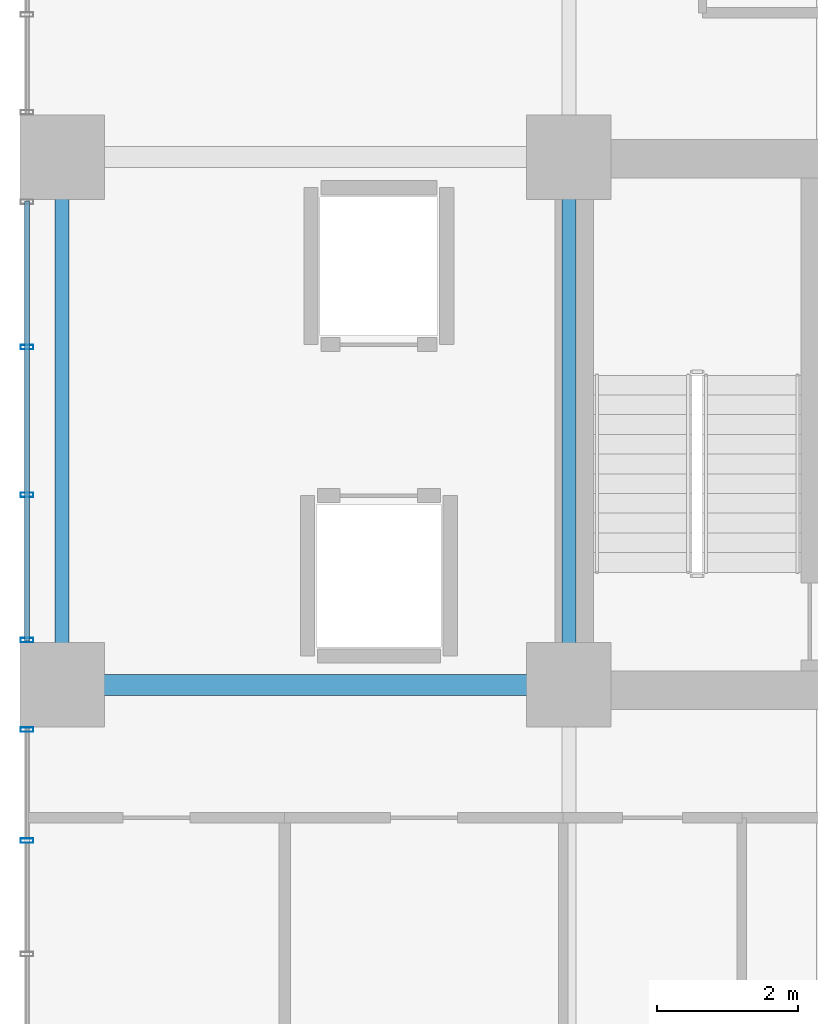
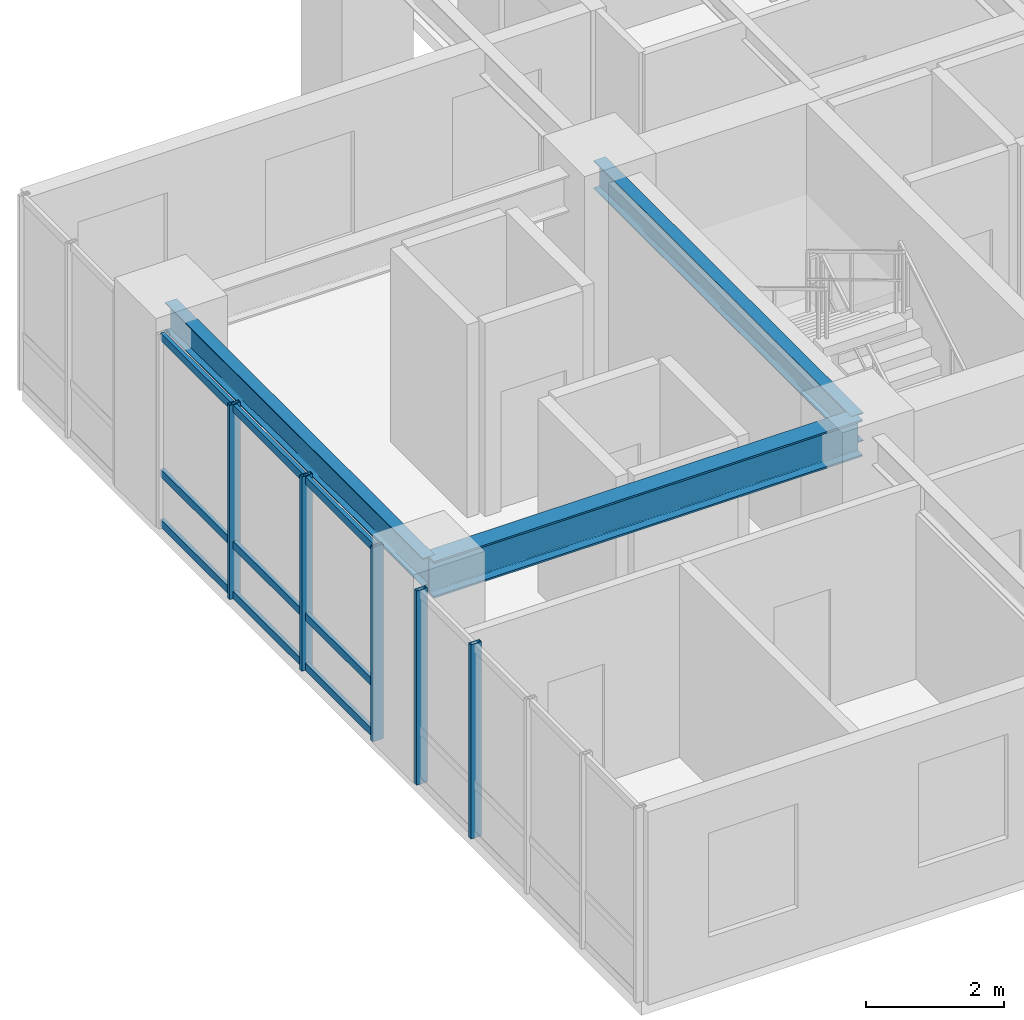
# One storey, part 4 of 17: 8 members, 3 beams, 2 elements without a shape of their own.
"""IFC4 building model written with IfcOpenShell, lengths in metres."""

from ifc_helpers import new_model, si_unit, direction, frame, origin, origin_2d, place, context, subcontext, project, spatial, hollow_rectangle, i_section, extrude, source, transform, mapped, material, layer, layer_set, material_profile, profile_set, type_object, element, aggregate, save


model = new_model("IFC4")

# Units and contexts
model_context = context("Model", 3, precision=1e-05, world=origin(), true_north=direction((0.0, 1.0)))
body_context = subcontext(model_context, "Body", "Model", "MODEL_VIEW")
ifc_project = project(units=[si_unit("LENGTHUNIT", "METRE"), si_unit("AREAUNIT", "SQUARE_METRE"), si_unit("VOLUMEUNIT", "CUBIC_METRE"), si_unit("PLANEANGLEUNIT", "RADIAN"), si_unit("MASSUNIT", "GRAM", prefix="KILO")], contexts=[model_context])

# Site, building, storey
site_placement = place(None, origin())
site = spatial("IfcSite", under=ifc_project, at=site_placement, CompositionType="ELEMENT")
building_placement = place(site_placement, origin())
building = spatial("IfcBuilding", under=site, at=building_placement, Name="Kaliganga Portal Commons", CompositionType="ELEMENT")
storey_placement = place(building_placement, frame((0.0, 0.0, 108.199951171875)))
storey = spatial("IfcBuildingStorey", under=building, at=storey_placement, Name="L27", CompositionType="ELEMENT", Elevation=108.199951171875)

# Beams
ifc_material_1 = material(Name="Structural steel S355J2", Category="steel")
ifc_material_profile_1 = material_profile(ifc_material_1, i_section(OverallWidth=0.300048828125, OverallDepth=0.64990234375, WebThickness=0.01611328125, FlangeThickness=0.031005859375, FilletRadius=0.027099609375, at=origin_2d()), Name="HE 650 B")
ifc_profile_set_1 = profile_set([ifc_material_profile_1], Name="Structural steel S355J2 wide-flange")
beam_type_1 = type_object("IfcBeamType", Name="BM-GIRD-650", PredefinedType="USERDEFINED", material=ifc_profile_set_1)
shared_shape_1 = source(origin(), body_context, "Body", "SweptSolid", [
    extrude(i_section(OverallWidth=0.300048828125, OverallDepth=0.64990234375, WebThickness=0.01611328125, FlangeThickness=0.031005859375, FilletRadius=0.027099609375, at=origin_2d()), origin(), (0.0, 0.0, 1.0), 7.199951171875),
])
beam_placement = place(storey_placement, frame((7.199951171875, 28.64990234375, 3.125), z_axis=(1.0, 0.0, 0.0), x_axis=(0.0, 1.0, 0.0)))
element("IfcBeam", 1, at=beam_placement, inside=storey, type_object=beam_type_1, Name="BM G L27 WAH_S 1", ObjectType="GIRDER", PredefinedType="USERDEFINED", context=body_context, shape_type="MappedRepresentation", body=[
    mapped(shared_shape_1, transform((0.0, 0.0, 0.0), x_axis=(1.0, 0.0, 0.0), y_axis=(0.0, 1.0, 0.0), z_axis=(0.0, 0.0, 1.0), scale=1.0)),
])
ifc_material_profile_2 = material_profile(ifc_material_1, i_section(OverallWidth=0.199951171875, OverallDepth=0.5, WebThickness=0.01025390625, FlangeThickness=0.01611328125, FilletRadius=0.02099609375, at=origin_2d()), Name="IPE 500")
ifc_profile_set_2 = profile_set([ifc_material_profile_2], Name="Structural steel S355J2 wide-flange")
beam_type_2 = type_object("IfcBeamType", Name="BM-FLR-500", PredefinedType="BEAM", material=ifc_profile_set_2)
shared_shape_2 = source(origin(), body_context, "Body", "SweptSolid", [
    extrude(i_section(OverallWidth=0.199951171875, OverallDepth=0.5, WebThickness=0.01025390625, FlangeThickness=0.01611328125, FilletRadius=0.02099609375, at=origin_2d()), origin(), (0.0, 0.0, 1.0), 7.5),
])
for number, where, z_axis, x_axis, name in (
    (2, (7.199951171875, 28.64990234375, 3.199951171875), (0.0, 1.0, 0.0), (-1.0, 0.0, 0.0), "BM G L27 AW72"),
    (3, (14.39990234375, 28.64990234375, 3.199951171875), (0.0, 1.0, 0.0), (-1.0, 0.0, 0.0), "BM G L27 AM144"),
):
    element("IfcBeam", number, at=place(storey_placement, frame(where, z_axis=z_axis, x_axis=x_axis)), inside=storey, type_object=beam_type_2, Name=name, PredefinedType="BEAM", context=body_context, shape_type="MappedRepresentation", body=[
        mapped(shared_shape_2, transform((0.0, 0.0, 0.0), x_axis=(1.0, 0.0, 0.0), y_axis=(0.0, 1.0, 0.0), z_axis=(0.0, 0.0, 1.0), scale=1.0)),
    ])

# Curtain wall, members
ifc_material_2 = material(Name="Anodized Aluminium and Laminated Low-E Glass", Category="aluminium")
ifc_layer = layer(ifc_material_2, 0.199951171875)
ifc_layer_set = layer_set([ifc_layer], Name="Anodized Aluminium and Laminated Low-E Glass")
curtain_wall_type = type_object("IfcCurtainWallType", Name="CW-SYS-02", PredefinedType="NOTDEFINED", material=ifc_layer_set)
curtain_wall_1_placement = place(storey_placement, origin())
curtain_wall_1 = element("IfcCurtainWall", 4, at=curtain_wall_1_placement, inside=storey, type_object=curtain_wall_type, Name="CW 02 L27 P1E09S2", PredefinedType="NOTDEFINED")
ifc_material_3 = material(Name="Dark Bronze Anodized Aluminium", Category="aluminium")
ifc_material_profile_3 = material_profile(ifc_material_3, hollow_rectangle(XDim=0.06494140625, YDim=0.179931640625, WallThickness=0.00390625, at=origin_2d()), Name="ALU MULL 65x180x4")
ifc_profile_set_3 = profile_set([ifc_material_profile_3], Name="Dark Bronze Anodized Aluminium")
member_type_1 = type_object("IfcMemberType", Name="CW-MUL-180", PredefinedType="MULLION", material=ifc_profile_set_3)
shared_shape_3 = source(origin(), body_context, "Body", "SweptSolid", [
    extrude(hollow_rectangle(XDim=0.06494140625, YDim=0.179931640625, WallThickness=0.00390625, at=origin_2d()), origin(), (0.0, 0.0, 1.0), 3.449951171875),
])
member_1_placement = place(storey_placement, frame((6.699951171875, 33.44970703125, 0.0), z_axis=(0.0, 0.0, 1.0), x_axis=(0.0, -1.0, 0.0)))
member_1 = element("IfcMember", 5, at=member_1_placement, type_object=member_type_1, Name="CW:02:L27:P1E09S2 Mullion 01", PredefinedType="MULLION", context=body_context, shape_type="MappedRepresentation", body=[
    mapped(shared_shape_3, transform((0.0, 0.0, 0.0), x_axis=(1.0, 0.0, 0.0), y_axis=(0.0, 1.0, 0.0), z_axis=(0.0, 0.0, 1.0), scale=1.0)),
])
member_2_placement = place(storey_placement, frame((6.699951171875, 31.350341796875, 0.0), z_axis=(0.0, 0.0, 1.0), x_axis=(0.0, -1.0, 0.0)))
member_2 = element("IfcMember", 6, at=member_2_placement, type_object=member_type_1, Name="CW:02:L27:P1E09S2 Mullion 02", PredefinedType="MULLION", context=body_context, shape_type="MappedRepresentation", body=[
    mapped(shared_shape_3, transform((0.0, 0.0, 0.0), x_axis=(1.0, 0.0, 0.0), y_axis=(0.0, 1.0, 0.0), z_axis=(0.0, 0.0, 1.0), scale=1.0)),
])
member_3_placement = place(storey_placement, frame((6.699951171875, 29.285888671875, 0.0), z_axis=(0.0, 0.0, 1.0), x_axis=(0.0, -1.0, 0.0)))
member_3 = element("IfcMember", 7, at=member_3_placement, type_object=member_type_1, Name="CW:02:L27:P1E09S2 Mullion 03", PredefinedType="MULLION", context=body_context, shape_type="MappedRepresentation", body=[
    mapped(shared_shape_3, transform((0.0, 0.0, 0.0), x_axis=(1.0, 0.0, 0.0), y_axis=(0.0, 1.0, 0.0), z_axis=(0.0, 0.0, 1.0), scale=1.0)),
])

curtain_wall_2_placement = place(storey_placement, origin())
curtain_wall_2 = element("IfcCurtainWall", 8, at=curtain_wall_2_placement, inside=storey, type_object=curtain_wall_type, Name="CW 02 L27 P1E09S3", PredefinedType="NOTDEFINED")
member_4_placement = place(storey_placement, frame((6.699951171875, 28.013916015625, 0.0), z_axis=(0.0, 0.0, 1.0), x_axis=(0.0, -1.0, 0.0)))
member_4 = element("IfcMember", 9, at=member_4_placement, type_object=member_type_1, Name="CW:02:L27:P1E09S3 Mullion 00", PredefinedType="MULLION", context=body_context, shape_type="MappedRepresentation", body=[
    mapped(shared_shape_3, transform((0.0, 0.0, 0.0), x_axis=(1.0, 0.0, 0.0), y_axis=(0.0, 1.0, 0.0), z_axis=(0.0, 0.0, 1.0), scale=1.0)),
])
member_5_placement = place(storey_placement, frame((6.699951171875, 26.436767578125, 0.0), z_axis=(0.0, 0.0, 1.0), x_axis=(0.0, -1.0, 0.0)))
member_5 = element("IfcMember", 10, at=member_5_placement, type_object=member_type_1, Name="CW:02:L27:P1E09S3 Mullion 01", PredefinedType="MULLION", context=body_context, shape_type="MappedRepresentation", body=[
    mapped(shared_shape_3, transform((0.0, 0.0, 0.0), x_axis=(1.0, 0.0, 0.0), y_axis=(0.0, 1.0, 0.0), z_axis=(0.0, 0.0, 1.0), scale=1.0)),
])
aggregate(curtain_wall_2, [member_4, member_5])

# Member
ifc_material_profile_4 = material_profile(ifc_material_3, hollow_rectangle(XDim=0.06494140625, YDim=0.135009765625, WallThickness=0.00341796875, at=origin_2d()), Name="ALU TRAN 65x135x3.5")
ifc_profile_set_4 = profile_set([ifc_material_profile_4], Name="Dark Bronze Anodized Aluminium")
member_type_2 = type_object("IfcMemberType", Name="CW-TRN-135", PredefinedType="USERDEFINED", material=ifc_profile_set_4)
shared_shape_4 = source(origin(), body_context, "Body", "SweptSolid", [
    extrude(hollow_rectangle(XDim=0.06494140625, YDim=0.135009765625, WallThickness=0.00341796875, at=origin_2d()), origin(), (0.0, 0.0, 1.0), 6.258056640625),
])
member_6_placement = place(storey_placement, frame((6.699951171875, 35.529052734375, 0.06005859375), z_axis=(0.0, -1.0, 0.0), x_axis=(1.0, 0.0, 0.0)))
member_6 = element("IfcMember", 11, at=member_6_placement, type_object=member_type_2, Name="CW:02:L27:P1E09S2 Transom 1", ObjectType="TRANSOM", PredefinedType="USERDEFINED", context=body_context, shape_type="MappedRepresentation", body=[
    mapped(shared_shape_4, transform((0.0, 0.0, 0.0), x_axis=(1.0, 0.0, 0.0), y_axis=(0.0, 1.0, 0.0), z_axis=(0.0, 0.0, 1.0), scale=1.0)),
])

member_7_placement = place(storey_placement, frame((6.699951171875, 35.529052734375, 0.949951171875), z_axis=(0.0, -1.0, 0.0), x_axis=(1.0, 0.0, 0.0)))
member_7 = element("IfcMember", 12, at=member_7_placement, type_object=member_type_2, Name="CW:02:L27:P1E09S2 Transom 2", ObjectType="TRANSOM", PredefinedType="USERDEFINED", context=body_context, shape_type="MappedRepresentation", body=[
    mapped(shared_shape_4, transform((0.0, 0.0, 0.0), x_axis=(1.0, 0.0, 0.0), y_axis=(0.0, 1.0, 0.0), z_axis=(0.0, 0.0, 1.0), scale=1.0)),
])

member_8_placement = place(storey_placement, frame((6.699951171875, 35.529052734375, 3.3701171875), z_axis=(0.0, -1.0, 0.0), x_axis=(1.0, 0.0, 0.0)))
member_8 = element("IfcMember", 13, at=member_8_placement, type_object=member_type_2, Name="CW:02:L27:P1E09S2 Transom 3", ObjectType="TRANSOM", PredefinedType="USERDEFINED", context=body_context, shape_type="MappedRepresentation", body=[
    mapped(shared_shape_4, transform((0.0, 0.0, 0.0), x_axis=(1.0, 0.0, 0.0), y_axis=(0.0, 1.0, 0.0), z_axis=(0.0, 0.0, 1.0), scale=1.0)),
])

aggregate(curtain_wall_1, [member_1, member_2, member_3, member_6, member_7, member_8])

save(model, "model.ifc")
